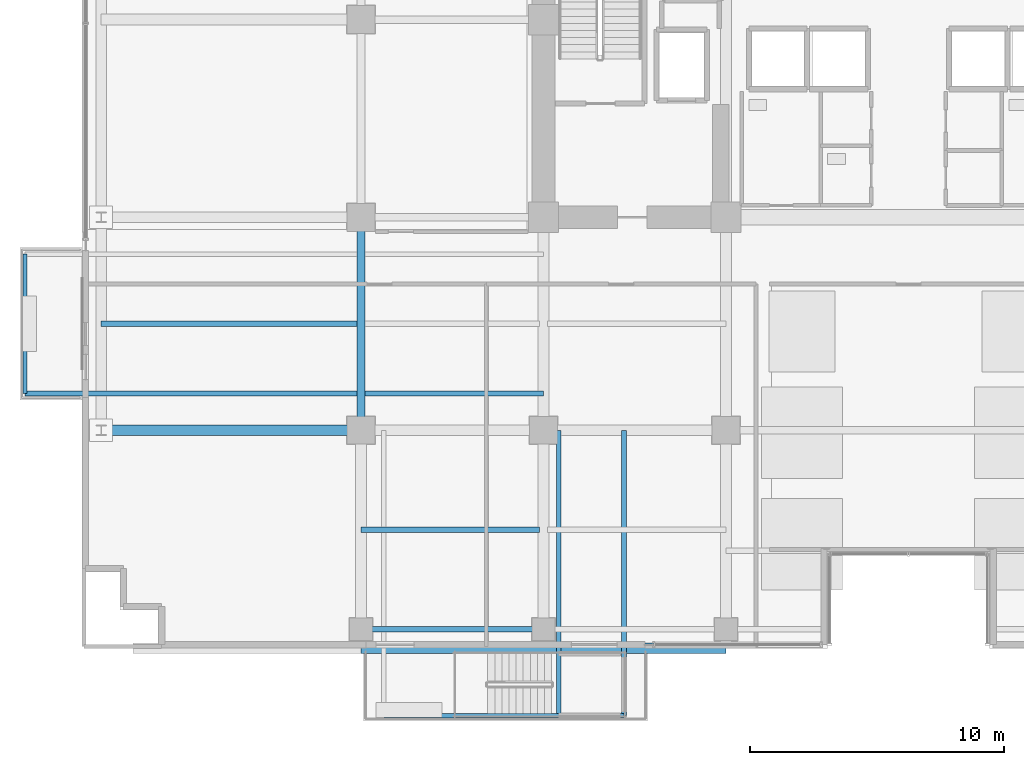
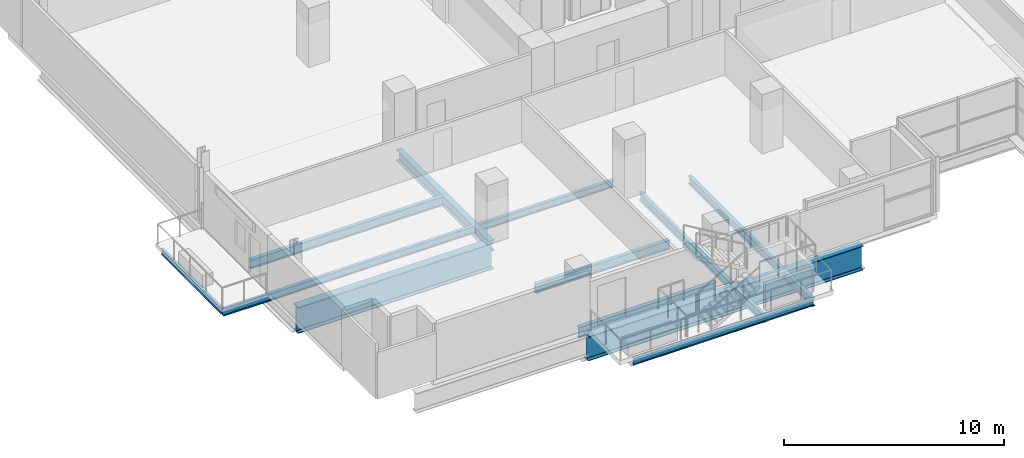
# One storey, part 2 of 32: 11 beams.
"""IFC4 building model written with IfcOpenShell, lengths in metres."""

from ifc_helpers import new_model, si_unit, direction, frame, origin, origin_2d, place, context, subcontext, project, spatial, i_section, extrude, material, material_profile, profile_set, type_object, element, save


model = new_model("IFC4")

# Units and contexts
model_context = context("Model", 3, precision=1e-05, world=origin(), true_north=direction((0.0, 1.0)))
body_context = subcontext(model_context, "Body", "Model", "MODEL_VIEW")
ifc_project = project(units=[si_unit("LENGTHUNIT", "METRE"), si_unit("AREAUNIT", "SQUARE_METRE"), si_unit("VOLUMEUNIT", "CUBIC_METRE"), si_unit("PLANEANGLEUNIT", "RADIAN"), si_unit("MASSUNIT", "GRAM", prefix="KILO")], contexts=[model_context])

# Site, building, storey
site_placement = place(None, origin())
site = spatial("IfcSite", under=ifc_project, at=site_placement, CompositionType="ELEMENT")
building_placement = place(site_placement, origin())
building = spatial("IfcBuilding", under=site, at=building_placement, Name="Zarnakvel Exchange Tower", CompositionType="ELEMENT")
storey_placement = place(building_placement, frame((0.0, 0.0, 27.39990234375)))
storey = spatial("IfcBuildingStorey", under=building, at=storey_placement, Name="L06", CompositionType="ELEMENT", Elevation=27.39990234375)

# Beams
ifc_material_1 = material(Name="Steel S355", Category="steel")
ifc_material_profile_1 = material_profile(ifc_material_1, i_section(OverallWidth=0.199951171875, OverallDepth=0.5, WebThickness=0.01025390625, FlangeThickness=0.01611328125, FilletRadius=0.02099609375, at=origin_2d()))
ifc_profile_set_1 = profile_set([ifc_material_profile_1], Name="Steel S355")
beam_type_1 = type_object("IfcBeamType", Name="B-04", PredefinedType="JOIST", material=ifc_profile_set_1)
beam_1_placement = place(storey_placement, frame((-21.60009765625, -13.52490234375, -0.5), z_axis=(1.0, 0.0, 0.0), x_axis=(0.0, 1.0, 0.0)))
element("IfcBeam", 1, at=beam_1_placement, inside=storey, type_object=beam_type_1, Name="L06 Composite Floor Secondary Joist", PredefinedType="JOIST", context=body_context, shape_type="SweptSolid", body=[
    extrude(i_section(OverallWidth=0.199951171875, OverallDepth=0.5, WebThickness=0.01025390625, FlangeThickness=0.01611328125, FilletRadius=0.02099609375, at=origin_2d()), origin(), (0.0, 0.0, 1.0), 7.045166015625),
])
beam_2_placement = place(storey_placement, frame((-31.85009765625, -5.39990234375, -0.5), z_axis=(1.0, 0.0, 0.0), x_axis=(0.0, 1.0, 0.0)))
element("IfcBeam", 2, at=beam_2_placement, inside=storey, type_object=beam_type_1, Name="L06 Composite Floor Secondary Joist", PredefinedType="JOIST", context=body_context, shape_type="SweptSolid", body=[
    extrude(i_section(OverallWidth=0.199951171875, OverallDepth=0.5, WebThickness=0.01025390625, FlangeThickness=0.01611328125, FilletRadius=0.02099609375, at=origin_2d()), origin(), (0.0, 0.0, 1.0), 10.10009765625),
])
ifc_material_profile_2 = material_profile(ifc_material_1, i_section(OverallWidth=0.18994140625, OverallDepth=0.449951171875, WebThickness=0.009521484375, FlangeThickness=0.0146484375, FilletRadius=0.02099609375, at=origin_2d()))
ifc_profile_set_2 = profile_set([ifc_material_profile_2], Name="Steel S355")
beam_type_2 = type_object("IfcBeamType", Name="B-05", PredefinedType="JOIST", material=ifc_profile_set_2)
for number, where, z_axis, x_axis, name in (
    (3, (-11.22998046875, -9.60009765625, -0.474853515625), (0.0, -1.0, 0.0), (1.0, 0.0, 0.0), "L06 Continuous Spiral Terrace Beam E"),
    (4, (-13.800048828125, -9.60009765625, -0.474853515625), (0.0, -1.0, 0.0), (1.0, 0.0, 0.0), "L06 Terrace Stair Plinth Beam W"),
):
    element("IfcBeam", number, at=place(storey_placement, frame(where, z_axis=z_axis, x_axis=x_axis)), inside=storey, type_object=beam_type_2, Name=name, PredefinedType="JOIST", context=body_context, shape_type="SweptSolid", body=[
        extrude(i_section(OverallWidth=0.18994140625, OverallDepth=0.449951171875, WebThickness=0.009521484375, FlangeThickness=0.0146484375, FilletRadius=0.02099609375, at=origin_2d()), origin(), (0.0, 0.0, 1.0), 11.260009765625),
    ])
ifc_material_profile_3 = material_profile(ifc_material_1, i_section(OverallWidth=0.179931640625, OverallDepth=0.39990234375, WebThickness=0.008544921875, FlangeThickness=0.013427734375, FilletRadius=0.02099609375, at=origin_2d()))
ifc_profile_set_3 = profile_set([ifc_material_profile_3], Name="Steel S355")
beam_type_3 = type_object("IfcBeamType", Name="B-06", PredefinedType="JOIST", material=ifc_profile_set_3)
beam_3_placement = place(storey_placement, frame((-14.39990234375, -8.14990234375, -0.449951171875), z_axis=(-1.0, 0.0, 0.0), x_axis=(0.0, -1.0, 0.0)))
element("IfcBeam", 5, at=beam_3_placement, inside=storey, type_object=beam_type_3, Name="L06 Continuous West Loggia Beam S", PredefinedType="JOIST", context=body_context, shape_type="SweptSolid", body=[
    extrude(i_section(OverallWidth=0.179931640625, OverallDepth=0.39990234375, WebThickness=0.008544921875, FlangeThickness=0.013427734375, FilletRadius=0.02099609375, at=origin_2d()), origin(), (0.0, 0.0, 1.0), 20.4501953125),
])
ifc_material_profile_4 = material_profile(ifc_material_1, i_section(OverallWidth=0.169921875, OverallDepth=0.360107421875, WebThickness=0.008056640625, FlangeThickness=0.0126953125, FilletRadius=0.01806640625, at=origin_2d()))
ifc_profile_set_4 = profile_set([ifc_material_profile_4], Name="Steel S355")
beam_type_4 = type_object("IfcBeamType", Name="B-07", PredefinedType="JOIST", material=ifc_profile_set_4)
beam_4_placement = place(storey_placement, frame((-20.699951171875, -20.860107421875, -0.429931640625), z_axis=(1.0, 0.0, 0.0), x_axis=(0.0, 1.0, 0.0)))
element("IfcBeam", 6, at=beam_4_placement, inside=storey, type_object=beam_type_4, Name="L06 Spiral Terrace Edge Beam", PredefinedType="JOIST", context=body_context, shape_type="SweptSolid", body=[
    extrude(i_section(OverallWidth=0.169921875, OverallDepth=0.360107421875, WebThickness=0.008056640625, FlangeThickness=0.0126953125, FilletRadius=0.01806640625, at=origin_2d()), origin(), (0.0, 0.0, 1.0), 9.469970703125),
])
ifc_material_profile_5 = material_profile(ifc_material_1, i_section(OverallWidth=0.14990234375, OverallDepth=0.300048828125, WebThickness=0.007080078125, FlangeThickness=0.0107421875, FilletRadius=0.014892578125, at=origin_2d()))
ifc_profile_set_5 = profile_set([ifc_material_profile_5], Name="Steel S355")
beam_type_5 = type_object("IfcBeamType", Name="B-08", PredefinedType="JOIST", material=ifc_profile_set_5)
beam_5_placement = place(storey_placement, frame((-34.85009765625, -8.14990234375, -0.39990234375), z_axis=(0.0, 1.0, 0.0), x_axis=(-1.0, 0.0, 0.0)))
element("IfcBeam", 7, at=beam_5_placement, inside=storey, type_object=beam_type_5, Name="L06 West Loggia Edge Beam", PredefinedType="JOIST", context=body_context, shape_type="SweptSolid", body=[
    extrude(i_section(OverallWidth=0.14990234375, OverallDepth=0.300048828125, WebThickness=0.007080078125, FlangeThickness=0.0107421875, FilletRadius=0.014892578125, at=origin_2d()), origin(), (0.0, 0.0, 1.0), 5.5),
])
ifc_material_profile_6 = material_profile(ifc_material_1, i_section(OverallWidth=0.300048828125, OverallDepth=0.60009765625, WebThickness=0.015380859375, FlangeThickness=0.030029296875, FilletRadius=0.027099609375, at=origin_2d()))
ifc_profile_set_6 = profile_set([ifc_material_profile_6], Name="Steel S355")
beam_type_6 = type_object("IfcBeamType", Name="G-04", PredefinedType="BEAM", material=ifc_profile_set_6)
beam_6_placement = place(storey_placement, frame((-21.60009765625, -9.60009765625, -0.5498046875), z_axis=(0.0, 1.0, 0.0), x_axis=(-1.0, 0.0, 0.0)))
element("IfcBeam", 8, at=beam_6_placement, inside=storey, type_object=beam_type_6, Name="L06 Tower N-S Frame Beam", PredefinedType="BEAM", context=body_context, shape_type="SweptSolid", body=[
    extrude(i_section(OverallWidth=0.300048828125, OverallDepth=0.60009765625, WebThickness=0.015380859375, FlangeThickness=0.030029296875, FilletRadius=0.027099609375, at=origin_2d()), origin(), (0.0, 0.0, 1.0), 8.400146484375),
])
ifc_material_profile_7 = material_profile(ifc_material_1, i_section(OverallWidth=0.219970703125, OverallDepth=0.60009765625, WebThickness=0.011962890625, FlangeThickness=0.01904296875, FilletRadius=0.02392578125, at=origin_2d()))
ifc_profile_set_7 = profile_set([ifc_material_profile_7], Name="Steel S355")
beam_type_7 = type_object("IfcBeamType", Name="SP-01", PredefinedType="SPANDREL", material=ifc_profile_set_7)
beam_7_placement = place(storey_placement, frame((-21.60009765625, -17.449951171875, -0.5498046875), z_axis=(1.0, 0.0, 0.0), x_axis=(0.0, 1.0, 0.0)))
element("IfcBeam", 9, at=beam_7_placement, inside=storey, type_object=beam_type_7, Name="L06 Tower E-W Frame Beam", PredefinedType="SPANDREL", context=body_context, shape_type="SweptSolid", body=[
    extrude(i_section(OverallWidth=0.219970703125, OverallDepth=0.60009765625, WebThickness=0.011962890625, FlangeThickness=0.01904296875, FilletRadius=0.02392578125, at=origin_2d()), origin(), (0.0, 0.0, 1.0), 7.2001953125),
])
ifc_material_2 = material(Name="Steel S460", Category="steel")
ifc_material_profile_8 = material_profile(ifc_material_2, i_section(OverallWidth=0.419921875, OverallDepth=1.449951171875, WebThickness=0.02392578125, FlangeThickness=0.0400390625, FilletRadius=0.030029296875, at=origin_2d()))
ifc_profile_set_8 = profile_set([ifc_material_profile_8], Name="Steel S460")
beam_type_8 = type_object("IfcBeamType", Name="TG-01", PredefinedType="BEAM", material=ifc_profile_set_8)
beam_8_placement = place(storey_placement, frame((-31.85009765625, -9.60009765625, -0.974853515625), z_axis=(1.0, 0.0, 0.0), x_axis=(0.0, 1.0, 0.0)))
element("IfcBeam", 10, at=beam_8_placement, inside=storey, type_object=beam_type_8, Name="L06 Wing Continuous Transfer Girder West", PredefinedType="BEAM", context=body_context, shape_type="SweptSolid", body=[
    extrude(i_section(OverallWidth=0.419921875, OverallDepth=1.449951171875, WebThickness=0.02392578125, FlangeThickness=0.0400390625, FilletRadius=0.030029296875, at=origin_2d()), origin(), (0.0, 0.0, 1.0), 10.25),
])
ifc_material_profile_9 = material_profile(ifc_material_2, i_section(OverallWidth=0.39990234375, OverallDepth=1.35009765625, WebThickness=0.02197265625, FlangeThickness=0.0380859375, FilletRadius=0.030029296875, at=origin_2d()))
ifc_profile_set_9 = profile_set([ifc_material_profile_9], Name="Steel S460")
beam_type_9 = type_object("IfcBeamType", Name="TG-02", PredefinedType="BEAM", material=ifc_profile_set_9)
beam_9_placement = place(storey_placement, frame((-21.60009765625, -18.199951171875, -0.9248046875), z_axis=(1.0, 0.0, 0.0), x_axis=(0.0, 1.0, 0.0)))
element("IfcBeam", 11, at=beam_9_placement, inside=storey, type_object=beam_type_9, Name="L06 Transfer Girder TG-02 South-West", PredefinedType="BEAM", context=body_context, shape_type="SweptSolid", body=[
    extrude(i_section(OverallWidth=0.39990234375, OverallDepth=1.35009765625, WebThickness=0.02197265625, FlangeThickness=0.0380859375, FilletRadius=0.030029296875, at=origin_2d()), origin(), (0.0, 0.0, 1.0), 14.400146484375),
])

save(model, "model.ifc")
